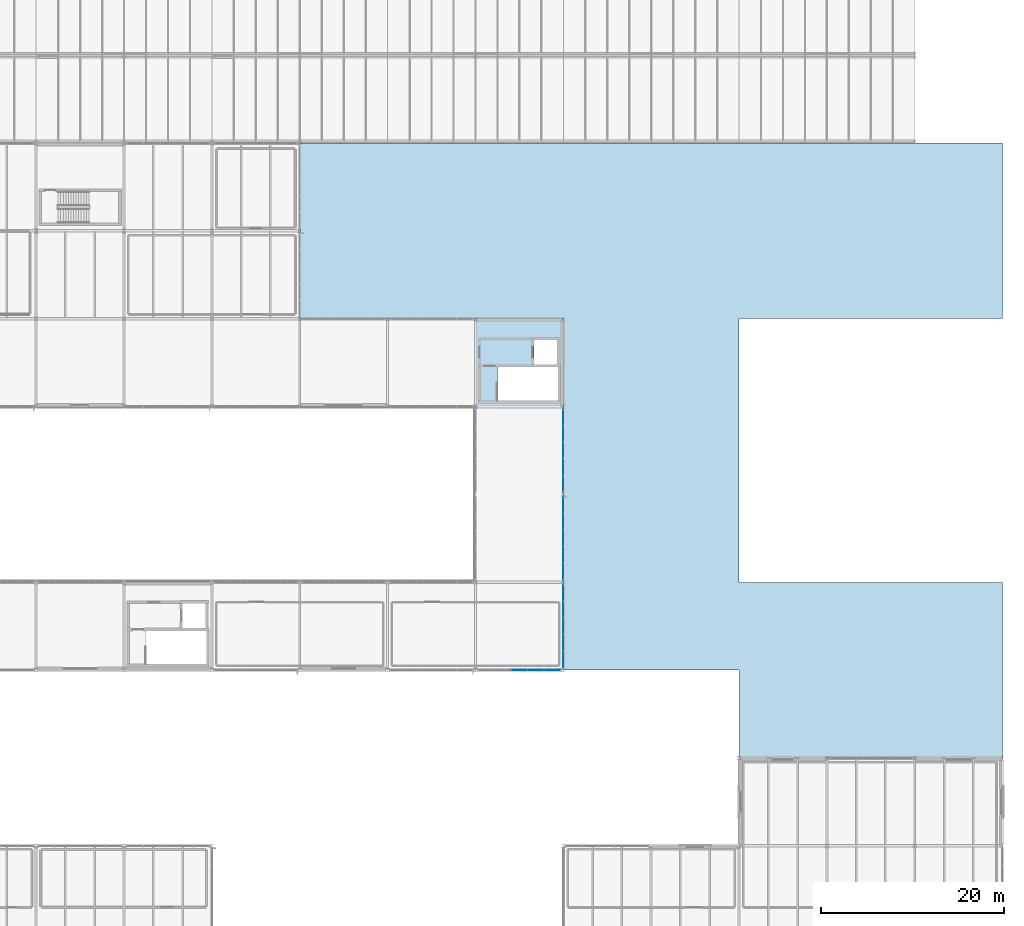
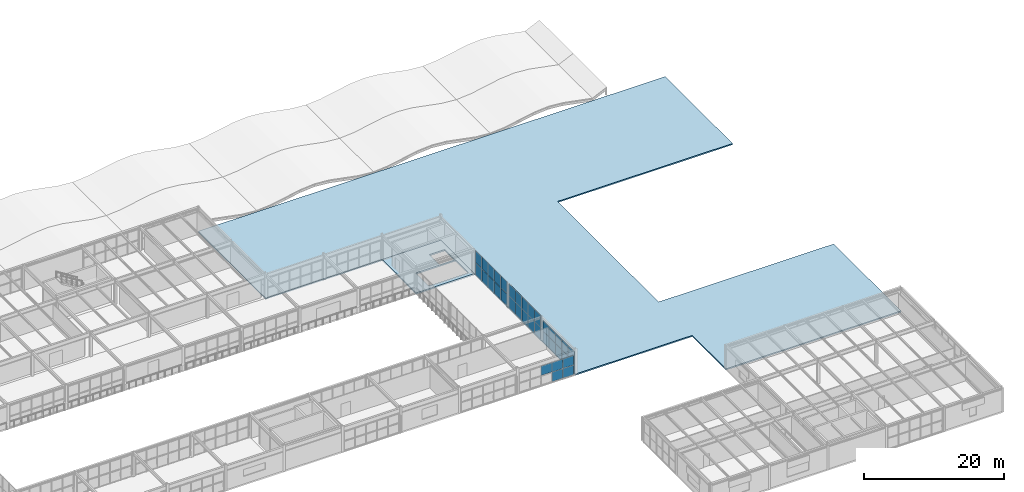
# One storey, part 142 of 170: 35 plates, 2 slabs, 4 elements without a shape of their own.
"""IFC4 building model written with IfcOpenShell, lengths in metres."""

import ifcopenshell
import ifcopenshell.guid

model = None  # the IFC model being written
_history = None  # IfcOwnerHistory: only IFC2X3 demands one
_inside = {}  # id of a spatial element -> (the spatial element, [elements in it])
_under = {}  # id of a project, library or spatial element -> (it, [spatial elements below it])
_declared = {}  # id of a project -> (the project, [libraries it declares])
_typed = {}  # id of a type object -> (the type object, [elements of that type])
_made_of = {}  # id of a material, layer set ... -> (it, [elements and type objects made of it])


def new_model(schema):
    """Start an empty IFC model of exactly this schema.

    Asked for "IFC4X3", IfcOpenShell would pick the latest addendum, in which some entities
    have other attributes; the version numbers below select the first issue.
    IFC2X3 requires an IfcOwnerHistory on every rooted entity: one is made here for all.
    """
    global model, _history
    if schema == "IFC4X3":
        model = ifcopenshell.file(schema_version=(4, 3, 0, 0))
    else:
        model = ifcopenshell.file(schema=schema)
    _inside.clear()
    _under.clear()
    _declared.clear()
    _typed.clear()
    _made_of.clear()
    _history = None
    if model.schema == "IFC2X3":
        org = make("IfcOrganization", Name="unknown")
        user = make(
            "IfcPersonAndOrganization",
            ThePerson=make("IfcPerson", FamilyName="unknown"),
            TheOrganization=org,
        )
        app = make(
            "IfcApplication",
            ApplicationDeveloper=org,
            Version="unknown",
            ApplicationFullName="unknown",
            ApplicationIdentifier="unknown",
        )
        _history = make(
            "IfcOwnerHistory",
            OwningUser=user,
            OwningApplication=app,
            ChangeAction="ADDED",
            CreationDate=0,
        )
    return model


def make(cls, **values):
    """One entity of the class cls with the attributes given. An attribute that is None is left unset."""
    return model.create_entity(
        cls, **{name: value for name, value in values.items() if value is not None}
    )


def rooted(cls, **values):
    """An entity with a GlobalId (a new one), such as an element, a storey or a relation."""
    return make(cls, GlobalId=ifcopenshell.guid.new(), OwnerHistory=_history, **values)


def si_unit(unit_type, name, prefix=None):
    """IfcSIUnit, for example si_unit("LENGTHUNIT", "METRE", prefix="MILLI")."""
    return make("IfcSIUnit", UnitType=unit_type, Prefix=prefix, Name=name)


def assignment(units):
    """IfcUnitAssignment: the units of a project."""
    return None if units is None else make("IfcUnitAssignment", Units=units)


def point(xyz):
    """IfcCartesianPoint."""
    return None if xyz is None else make("IfcCartesianPoint", Coordinates=xyz)


def direction(xyz):
    """IfcDirection."""
    return None if xyz is None else make("IfcDirection", DirectionRatios=xyz)


def frame(location, z_axis=None, x_axis=None):
    """IfcAxis2Placement3D, a coordinate frame: its origin and axes. An axis left out is left unset."""
    return make(
        "IfcAxis2Placement3D",
        Location=point(location),
        Axis=direction(z_axis),
        RefDirection=direction(x_axis),
    )


def frame_2d(location, x_axis=None):
    """IfcAxis2Placement2D, a coordinate frame in the plane: its origin and x axis."""
    return make(
        "IfcAxis2Placement2D", Location=point(location), RefDirection=direction(x_axis)
    )


def origin():
    """The frame at (0, 0, 0) with its axes left unset."""
    return frame((0.0, 0.0, 0.0))


def origin_2d():
    """The frame at (0, 0) in the plane with its x axis left unset."""
    return frame_2d((0.0, 0.0))


def place(relative_to, where):
    """IfcLocalPlacement: puts the frame where relative to a parent placement (None: the world)."""
    return make(
        "IfcLocalPlacement", PlacementRelTo=relative_to, RelativePlacement=where
    )


def context(
    kind, dimensions, precision=None, world=None, true_north=None, identifier=None
):
    """IfcGeometricRepresentationContext, for example the 3D "Model" context."""
    return make(
        "IfcGeometricRepresentationContext",
        ContextIdentifier=identifier,
        ContextType=kind,
        CoordinateSpaceDimension=dimensions,
        Precision=precision,
        WorldCoordinateSystem=world,
        TrueNorth=true_north,
    )


def subcontext(parent, identifier, kind, view, scale=None):
    """IfcGeometricRepresentationSubContext, for example "Body" below "Model"."""
    return make(
        "IfcGeometricRepresentationSubContext",
        ContextIdentifier=identifier,
        ContextType=kind,
        ParentContext=parent,
        TargetScale=scale,
        TargetView=view,
    )


def project(units=None, contexts=None):
    """IfcProject with its units and contexts."""
    return rooted(
        "IfcProject",
        Name="project",
        RepresentationContexts=contexts,
        UnitsInContext=assignment(units),
    )


def spatial(cls, under=None, at=None, **own):
    """A site, building, storey or space (cls), placed at a placement, below another one or the project."""
    s = rooted(cls, ObjectPlacement=at, **own)
    if under is not None:
        _under.setdefault(under.id(), (under, []))[1].append(s)
    return s


def polyline(points):
    """IfcPolyline through the points."""
    return make("IfcPolyline", Points=[point(p) for p in points])


def profile(cls, at=None, kind="AREA", **sizes):
    """A parametric profile (cls). Its sizes go by their IFC names, for example OverallWidth=200.0."""
    return make(cls, ProfileType=kind, Position=at, **sizes)


def rectangle(**sizes):
    """IfcRectangleProfileDef."""
    return profile("IfcRectangleProfileDef", **sizes)


def outline(outer, holes=None, kind="AREA"):
    """IfcArbitraryClosedProfileDef: a profile drawn as a closed curve; with holes, ...WithVoids."""
    if holes is None:
        return make("IfcArbitraryClosedProfileDef", ProfileType=kind, OuterCurve=outer)
    return make(
        "IfcArbitraryProfileDefWithVoids",
        ProfileType=kind,
        OuterCurve=outer,
        InnerCurves=holes,
    )


def extrude(swept, where, along, depth):
    """IfcExtrudedAreaSolid: the profile swept, set in the frame where, extruded along a direction by depth."""
    return make(
        "IfcExtrudedAreaSolid",
        SweptArea=swept,
        Position=where,
        ExtrudedDirection=direction(along),
        Depth=depth,
    )


def shape(context_of_items, identifier, shape_type, items):
    """IfcShapeRepresentation: the items that make up one representation, for example the "Body"."""
    return make(
        "IfcShapeRepresentation",
        ContextOfItems=context_of_items,
        RepresentationIdentifier=identifier,
        RepresentationType=shape_type,
        Items=items,
    )


def material(Name=None, Category=None):
    """IfcMaterial."""
    return make("IfcMaterial", Name=Name, Category=Category)


def layer(
    of_material, thickness, ventilated=None, Name=None, Category=None, Priority=None
):
    """IfcMaterialLayer: one layer of a wall or slab, of a material (None: an air gap)."""
    return make(
        "IfcMaterialLayer",
        Material=of_material,
        LayerThickness=thickness,
        IsVentilated=ventilated,
        Name=Name,
        Category=Category,
        Priority=Priority,
    )


def layer_set(layers, Name=None):
    """IfcMaterialLayerSet."""
    return make("IfcMaterialLayerSet", MaterialLayers=layers, LayerSetName=Name)


def made_of(thing, what):
    """Note that an element or type object is made of a material, layer set ...; save() writes the relation."""
    if what is not None:
        _made_of.setdefault(what.id(), (what, []))[1].append(thing)
    return thing


def type_object(cls, material=None, **own):
    """A type object (cls), such as IfcWallType, which elements share."""
    return made_of(rooted(cls, **own), material)


def element(
    cls,
    number,
    at=None,
    inside=None,
    cuts=None,
    type_object=None,
    material=None,
    context=None,
    identifier="Body",
    shape_type=None,
    held_by="IfcProductDefinitionShape",
    body=None,
    shapes=None,
    **own,
):
    """One element of the class cls, such as IfcWall. Its Tag is "e" and its number.

    at: its placement. inside: the storey or other place that contains it. cuts: it is an
    opening in that element (IfcRelVoidsElement). A single representation is given by context,
    identifier, shape_type and body (its items); several are given by shapes. held_by: the class
    of the entity that holds the representations. save() writes the other relations.
    """
    e = rooted(cls, Tag="e%d" % number, ObjectPlacement=at, **own)
    if body is not None:
        shapes = [shape(context, identifier, shape_type, body)]
    if shapes is not None:
        e.Representation = make(held_by, Representations=shapes)
    if inside is not None:
        _inside.setdefault(inside.id(), (inside, []))[1].append(e)
    if cuts is not None:
        rooted(
            "IfcRelVoidsElement", RelatingBuildingElement=cuts, RelatedOpeningElement=e
        )
    if type_object is not None:
        _typed.setdefault(type_object.id(), (type_object, []))[1].append(e)
    return made_of(e, material)


def aggregate(whole, parts):
    """IfcRelAggregates: a whole, such as a stair, and the parts it consists of."""
    return rooted("IfcRelAggregates", RelatingObject=whole, RelatedObjects=parts)


def save(model, path):
    """Write the relations noted so far, then the file.

    IfcRelAggregates (storeys below a building ...), IfcRelContainedInSpatialStructure (elements
    in a storey), IfcRelDefinesByType, IfcRelAssociatesMaterial and IfcRelDeclares: one each for
    every whole, place, type object, material and project.
    """
    for whole, parts in _under.values():
        aggregate(whole, parts)
    for where, things in _inside.values():
        rooted(
            "IfcRelContainedInSpatialStructure",
            RelatedElements=things,
            RelatingStructure=where,
        )
    for kind, things in _typed.values():
        rooted("IfcRelDefinesByType", RelatedObjects=things, RelatingType=kind)
    for what, things in _made_of.values():
        rooted("IfcRelAssociatesMaterial", RelatedObjects=things, RelatingMaterial=what)
    for by, libraries in _declared.values():
        rooted("IfcRelDeclares", RelatingContext=by, RelatedDefinitions=libraries)
    model.write(path)


model = new_model("IFC4")

# Units and contexts
model_context = context("Model", 3, precision=1e-05, world=origin(), true_north=direction((0.0, 1.0)))
body_context = subcontext(model_context, "Body", "Model", "MODEL_VIEW")
ifc_project = project(units=[si_unit("LENGTHUNIT", "METRE"), si_unit("AREAUNIT", "SQUARE_METRE"), si_unit("VOLUMEUNIT", "CUBIC_METRE"), si_unit("PLANEANGLEUNIT", "RADIAN"), si_unit("MASSUNIT", "GRAM", prefix="KILO")], contexts=[model_context])

# Site, building, storey
site_placement = place(None, origin())
site = spatial("IfcSite", under=ifc_project, at=site_placement, CompositionType="ELEMENT")
building_placement = place(site_placement, origin())
building = spatial("IfcBuilding", under=site, at=building_placement, Name="Coralgate Yard Interchange", CompositionType="ELEMENT")
storey_placement = place(building_placement, frame((0.0, 0.0, 6.0)))
storey = spatial("IfcBuildingStorey", under=building, at=storey_placement, Name="L01", CompositionType="ELEMENT", Elevation=6.0)

# Curtain wall, plates
ifc_material_1 = material(Name="Anodised coastal aluminium and solar-control low-E glass", Category="aluminium")
curtain_wall_type_1 = type_object("IfcCurtainWallType", Name="CW-CW-L01-A", PredefinedType="NOTDEFINED", material=ifc_material_1)
curtain_wall_1_placement = place(storey_placement, origin())
curtain_wall_1 = element("IfcCurtainWall", 1, at=curtain_wall_1_placement, inside=storey, type_object=curtain_wall_type_1, Name="L01 unitised curtain wall CW-L01-S-13-04", PredefinedType="NOTDEFINED")
ifc_material_2 = material(Name="Solar-control double-glazed low-E glass unit", Category="glass")
ifc_layer_1 = layer(ifc_material_2, 0.031982421875)
ifc_layer_set_1 = layer_set([ifc_layer_1], Name="Solar-control double-glazed low-E glass unit")
plate_type = type_object("IfcPlateType", Name="PLT-CP-32", PredefinedType="CURTAIN_PANEL", material=ifc_layer_set_1)
plate_1_placement = place(storey_placement, frame((133.199951171875, 38.39990234375, 0.02490234375), z_axis=(0.0, 0.0, 1.0), x_axis=(-1.0, 0.0, 0.0)))
plate_1 = element("IfcPlate", 2, at=plate_1_placement, type_object=plate_type, Name="CW-L01-S-13-04 solar-control glazing panel 1-1", PredefinedType="CURTAIN_PANEL", context=body_context, shape_type="SweptSolid", body=[
    extrude(rectangle(XDim=1.75, YDim=0.031982421875, at=origin_2d()), origin(), (0.0, 0.0, 1.0), 1.654541015625),
])
plate_2_placement = place(storey_placement, frame((133.199951171875, 38.39990234375, 1.7294921875), z_axis=(0.0, 0.0, 1.0), x_axis=(-1.0, 0.0, 0.0)))
plate_2 = element("IfcPlate", 3, at=plate_2_placement, type_object=plate_type, Name="CW-L01-S-13-04 solar-control glazing panel 1-2", PredefinedType="CURTAIN_PANEL", context=body_context, shape_type="SweptSolid", body=[
    extrude(rectangle(XDim=1.75, YDim=0.031982421875, at=origin_2d()), origin(), (0.0, 0.0, 1.0), 1.654541015625),
])
plate_3_placement = place(storey_placement, frame((131.39990234375, 38.39990234375, 0.02490234375), z_axis=(0.0, 0.0, 1.0), x_axis=(-1.0, 0.0, 0.0)))
plate_3 = element("IfcPlate", 4, at=plate_3_placement, type_object=plate_type, Name="CW-L01-S-13-04 solar-control glazing panel 2-1", PredefinedType="CURTAIN_PANEL", context=body_context, shape_type="SweptSolid", body=[
    extrude(rectangle(XDim=1.75, YDim=0.031982421875, at=origin_2d()), origin(), (0.0, 0.0, 1.0), 1.654541015625),
])
plate_4_placement = place(storey_placement, frame((131.39990234375, 38.39990234375, 1.7294921875), z_axis=(0.0, 0.0, 1.0), x_axis=(-1.0, 0.0, 0.0)))
plate_4 = element("IfcPlate", 5, at=plate_4_placement, type_object=plate_type, Name="CW-L01-S-13-04 solar-control glazing panel 2-2", PredefinedType="CURTAIN_PANEL", context=body_context, shape_type="SweptSolid", body=[
    extrude(rectangle(XDim=1.75, YDim=0.031982421875, at=origin_2d()), origin(), (0.0, 0.0, 1.0), 1.654541015625),
])
plate_5_placement = place(storey_placement, frame((129.60009765625, 38.39990234375, 1.7294921875), z_axis=(0.0, 0.0, 1.0), x_axis=(-1.0, 0.0, 0.0)))
plate_5 = element("IfcPlate", 6, at=plate_5_placement, type_object=plate_type, Name="CW-L01-S-13-04 solar-control glazing panel 3-2", PredefinedType="CURTAIN_PANEL", context=body_context, shape_type="SweptSolid", body=[
    extrude(rectangle(XDim=1.75, YDim=0.031982421875, at=origin_2d()), origin(), (0.0, 0.0, 1.0), 1.654541015625),
])
aggregate(curtain_wall_1, [plate_1, plate_2, plate_3, plate_4, plate_5])

curtain_wall_type_2 = type_object("IfcCurtainWallType", Name="CW-CW-L01-B", PredefinedType="NOTDEFINED", material=ifc_material_1)
curtain_wall_2_placement = place(storey_placement, origin())
curtain_wall_2 = element("IfcCurtainWall", 7, at=curtain_wall_2_placement, inside=storey, type_object=curtain_wall_type_2, Name="L01 unitised curtain wall CW-L01-E-13-04", PredefinedType="NOTDEFINED")
plate_6_placement = place(storey_placement, frame((134.39990234375, 46.800048828125, 0.02490234375), z_axis=(0.0, 0.0, 1.0), x_axis=(0.0, -1.0, 0.0)))
plate_6 = element("IfcPlate", 8, at=plate_6_placement, type_object=plate_type, Name="CW-L01-E-13-04 solar-control glazing panel 1-1", PredefinedType="CURTAIN_PANEL", context=body_context, shape_type="SweptSolid", body=[
    extrude(rectangle(XDim=1.75, YDim=0.031982421875, at=origin_2d()), origin(), (0.0, 0.0, 1.0), 1.808349609375),
])
plate_7_placement = place(storey_placement, frame((134.39990234375, 46.800048828125, 1.88330078125), z_axis=(0.0, 0.0, 1.0), x_axis=(0.0, -1.0, 0.0)))
plate_7 = element("IfcPlate", 9, at=plate_7_placement, type_object=plate_type, Name="CW-L01-E-13-04 solar-control glazing panel 1-2", PredefinedType="CURTAIN_PANEL", context=body_context, shape_type="SweptSolid", body=[
    extrude(rectangle(XDim=1.75, YDim=0.031982421875, at=origin_2d()), origin(), (0.0, 0.0, 1.0), 1.808349609375),
])
plate_8_placement = place(storey_placement, frame((134.39990234375, 45.0, 0.02490234375), z_axis=(0.0, 0.0, 1.0), x_axis=(0.0, -1.0, 0.0)))
plate_8 = element("IfcPlate", 10, at=plate_8_placement, type_object=plate_type, Name="CW-L01-E-13-04 solar-control glazing panel 2-1", PredefinedType="CURTAIN_PANEL", context=body_context, shape_type="SweptSolid", body=[
    extrude(rectangle(XDim=1.75, YDim=0.031982421875, at=origin_2d()), origin(), (0.0, 0.0, 1.0), 1.808349609375),
])
plate_9_placement = place(storey_placement, frame((134.39990234375, 45.0, 1.88330078125), z_axis=(0.0, 0.0, 1.0), x_axis=(0.0, -1.0, 0.0)))
plate_9 = element("IfcPlate", 11, at=plate_9_placement, type_object=plate_type, Name="CW-L01-E-13-04 solar-control glazing panel 2-2", PredefinedType="CURTAIN_PANEL", context=body_context, shape_type="SweptSolid", body=[
    extrude(rectangle(XDim=1.75, YDim=0.031982421875, at=origin_2d()), origin(), (0.0, 0.0, 1.0), 1.808349609375),
])
plate_10_placement = place(storey_placement, frame((134.39990234375, 43.199951171875, 0.02490234375), z_axis=(0.0, 0.0, 1.0), x_axis=(0.0, -1.0, 0.0)))
plate_10 = element("IfcPlate", 12, at=plate_10_placement, type_object=plate_type, Name="CW-L01-E-13-04 solar-control glazing panel 3-1", PredefinedType="CURTAIN_PANEL", context=body_context, shape_type="SweptSolid", body=[
    extrude(rectangle(XDim=1.75, YDim=0.031982421875, at=origin_2d()), origin(), (0.0, 0.0, 1.0), 1.808349609375),
])
plate_11_placement = place(storey_placement, frame((134.39990234375, 43.199951171875, 1.88330078125), z_axis=(0.0, 0.0, 1.0), x_axis=(0.0, -1.0, 0.0)))
plate_11 = element("IfcPlate", 13, at=plate_11_placement, type_object=plate_type, Name="CW-L01-E-13-04 solar-control glazing panel 3-2", PredefinedType="CURTAIN_PANEL", context=body_context, shape_type="SweptSolid", body=[
    extrude(rectangle(XDim=1.75, YDim=0.031982421875, at=origin_2d()), origin(), (0.0, 0.0, 1.0), 1.808349609375),
])
plate_12_placement = place(storey_placement, frame((134.39990234375, 41.39990234375, 0.02490234375), z_axis=(0.0, 0.0, 1.0), x_axis=(0.0, -1.0, 0.0)))
plate_12 = element("IfcPlate", 14, at=plate_12_placement, type_object=plate_type, Name="CW-L01-E-13-04 solar-control glazing panel 4-1", PredefinedType="CURTAIN_PANEL", context=body_context, shape_type="SweptSolid", body=[
    extrude(rectangle(XDim=1.75, YDim=0.031982421875, at=origin_2d()), origin(), (0.0, 0.0, 1.0), 1.808349609375),
])
plate_13_placement = place(storey_placement, frame((134.39990234375, 41.39990234375, 1.88330078125), z_axis=(0.0, 0.0, 1.0), x_axis=(0.0, -1.0, 0.0)))
plate_13 = element("IfcPlate", 15, at=plate_13_placement, type_object=plate_type, Name="CW-L01-E-13-04 solar-control glazing panel 4-2", PredefinedType="CURTAIN_PANEL", context=body_context, shape_type="SweptSolid", body=[
    extrude(rectangle(XDim=1.75, YDim=0.031982421875, at=origin_2d()), origin(), (0.0, 0.0, 1.0), 1.808349609375),
])
plate_14_placement = place(storey_placement, frame((134.39990234375, 39.60009765625, 0.02490234375), z_axis=(0.0, 0.0, 1.0), x_axis=(0.0, -1.0, 0.0)))
plate_14 = element("IfcPlate", 16, at=plate_14_placement, type_object=plate_type, Name="CW-L01-E-13-04 solar-control glazing panel 5-1", PredefinedType="CURTAIN_PANEL", context=body_context, shape_type="SweptSolid", body=[
    extrude(rectangle(XDim=1.75, YDim=0.031982421875, at=origin_2d()), origin(), (0.0, 0.0, 1.0), 1.808349609375),
])
plate_15_placement = place(storey_placement, frame((134.39990234375, 39.60009765625, 1.88330078125), z_axis=(0.0, 0.0, 1.0), x_axis=(0.0, -1.0, 0.0)))
plate_15 = element("IfcPlate", 17, at=plate_15_placement, type_object=plate_type, Name="CW-L01-E-13-04 solar-control glazing panel 5-2", PredefinedType="CURTAIN_PANEL", context=body_context, shape_type="SweptSolid", body=[
    extrude(rectangle(XDim=1.75, YDim=0.031982421875, at=origin_2d()), origin(), (0.0, 0.0, 1.0), 1.808349609375),
])
aggregate(curtain_wall_2, [plate_6, plate_7, plate_8, plate_9, plate_10, plate_11, plate_12, plate_13, plate_14, plate_15])

curtain_wall_3_placement = place(storey_placement, origin())
curtain_wall_3 = element("IfcCurtainWall", 18, at=curtain_wall_3_placement, inside=storey, type_object=curtain_wall_type_2, Name="L01 unitised curtain wall CW-L01-E-13-05", PredefinedType="NOTDEFINED")
plate_16_placement = place(storey_placement, frame((134.39990234375, 56.39990234375, 0.02490234375), z_axis=(0.0, 0.0, 1.0), x_axis=(0.0, -1.0, 0.0)))
plate_16 = element("IfcPlate", 19, at=plate_16_placement, type_object=plate_type, Name="CW-L01-E-13-05 solar-control glazing panel 1-1", PredefinedType="CURTAIN_PANEL", context=body_context, shape_type="SweptSolid", body=[
    extrude(rectangle(XDim=1.75, YDim=0.031982421875, at=origin_2d()), origin(), (0.0, 0.0, 1.0), 2.074951171875),
])
plate_17_placement = place(storey_placement, frame((134.39990234375, 56.39990234375, 2.14990234375), z_axis=(0.0, 0.0, 1.0), x_axis=(0.0, -1.0, 0.0)))
plate_17 = element("IfcPlate", 20, at=plate_17_placement, type_object=plate_type, Name="CW-L01-E-13-05 solar-control glazing panel 1-2", PredefinedType="CURTAIN_PANEL", context=body_context, shape_type="SweptSolid", body=[
    extrude(rectangle(XDim=1.75, YDim=0.031982421875, at=origin_2d()), origin(), (0.0, 0.0, 1.0), 2.074951171875),
])
plate_18_placement = place(storey_placement, frame((134.39990234375, 54.60009765625, 0.02490234375), z_axis=(0.0, 0.0, 1.0), x_axis=(0.0, -1.0, 0.0)))
plate_18 = element("IfcPlate", 21, at=plate_18_placement, type_object=plate_type, Name="CW-L01-E-13-05 solar-control glazing panel 2-1", PredefinedType="CURTAIN_PANEL", context=body_context, shape_type="SweptSolid", body=[
    extrude(rectangle(XDim=1.75, YDim=0.031982421875, at=origin_2d()), origin(), (0.0, 0.0, 1.0), 2.074951171875),
])
plate_19_placement = place(storey_placement, frame((134.39990234375, 54.60009765625, 2.14990234375), z_axis=(0.0, 0.0, 1.0), x_axis=(0.0, -1.0, 0.0)))
plate_19 = element("IfcPlate", 22, at=plate_19_placement, type_object=plate_type, Name="CW-L01-E-13-05 solar-control glazing panel 2-2", PredefinedType="CURTAIN_PANEL", context=body_context, shape_type="SweptSolid", body=[
    extrude(rectangle(XDim=1.75, YDim=0.031982421875, at=origin_2d()), origin(), (0.0, 0.0, 1.0), 2.074951171875),
])
plate_20_placement = place(storey_placement, frame((134.39990234375, 52.800048828125, 0.02490234375), z_axis=(0.0, 0.0, 1.0), x_axis=(0.0, -1.0, 0.0)))
plate_20 = element("IfcPlate", 23, at=plate_20_placement, type_object=plate_type, Name="CW-L01-E-13-05 solar-control glazing panel 3-1", PredefinedType="CURTAIN_PANEL", context=body_context, shape_type="SweptSolid", body=[
    extrude(rectangle(XDim=1.75, YDim=0.031982421875, at=origin_2d()), origin(), (0.0, 0.0, 1.0), 2.074951171875),
])
plate_21_placement = place(storey_placement, frame((134.39990234375, 52.800048828125, 2.14990234375), z_axis=(0.0, 0.0, 1.0), x_axis=(0.0, -1.0, 0.0)))
plate_21 = element("IfcPlate", 24, at=plate_21_placement, type_object=plate_type, Name="CW-L01-E-13-05 solar-control glazing panel 3-2", PredefinedType="CURTAIN_PANEL", context=body_context, shape_type="SweptSolid", body=[
    extrude(rectangle(XDim=1.75, YDim=0.031982421875, at=origin_2d()), origin(), (0.0, 0.0, 1.0), 2.074951171875),
])
plate_22_placement = place(storey_placement, frame((134.39990234375, 51.0, 0.02490234375), z_axis=(0.0, 0.0, 1.0), x_axis=(0.0, -1.0, 0.0)))
plate_22 = element("IfcPlate", 25, at=plate_22_placement, type_object=plate_type, Name="CW-L01-E-13-05 solar-control glazing panel 4-1", PredefinedType="CURTAIN_PANEL", context=body_context, shape_type="SweptSolid", body=[
    extrude(rectangle(XDim=1.75, YDim=0.031982421875, at=origin_2d()), origin(), (0.0, 0.0, 1.0), 2.074951171875),
])
plate_23_placement = place(storey_placement, frame((134.39990234375, 51.0, 2.14990234375), z_axis=(0.0, 0.0, 1.0), x_axis=(0.0, -1.0, 0.0)))
plate_23 = element("IfcPlate", 26, at=plate_23_placement, type_object=plate_type, Name="CW-L01-E-13-05 solar-control glazing panel 4-2", PredefinedType="CURTAIN_PANEL", context=body_context, shape_type="SweptSolid", body=[
    extrude(rectangle(XDim=1.75, YDim=0.031982421875, at=origin_2d()), origin(), (0.0, 0.0, 1.0), 2.074951171875),
])
plate_24_placement = place(storey_placement, frame((134.39990234375, 49.199951171875, 0.02490234375), z_axis=(0.0, 0.0, 1.0), x_axis=(0.0, -1.0, 0.0)))
plate_24 = element("IfcPlate", 27, at=plate_24_placement, type_object=plate_type, Name="CW-L01-E-13-05 solar-control glazing panel 5-1", PredefinedType="CURTAIN_PANEL", context=body_context, shape_type="SweptSolid", body=[
    extrude(rectangle(XDim=1.75, YDim=0.031982421875, at=origin_2d()), origin(), (0.0, 0.0, 1.0), 2.074951171875),
])
plate_25_placement = place(storey_placement, frame((134.39990234375, 49.199951171875, 2.14990234375), z_axis=(0.0, 0.0, 1.0), x_axis=(0.0, -1.0, 0.0)))
plate_25 = element("IfcPlate", 28, at=plate_25_placement, type_object=plate_type, Name="CW-L01-E-13-05 solar-control glazing panel 5-2", PredefinedType="CURTAIN_PANEL", context=body_context, shape_type="SweptSolid", body=[
    extrude(rectangle(XDim=1.75, YDim=0.031982421875, at=origin_2d()), origin(), (0.0, 0.0, 1.0), 2.074951171875),
])
aggregate(curtain_wall_3, [plate_16, plate_17, plate_18, plate_19, plate_20, plate_21, plate_22, plate_23, plate_24, plate_25])

curtain_wall_4_placement = place(storey_placement, origin())
curtain_wall_4 = element("IfcCurtainWall", 29, at=curtain_wall_4_placement, inside=storey, type_object=curtain_wall_type_2, Name="L01 unitised curtain wall CW-L01-E-13-06", PredefinedType="NOTDEFINED")
plate_26_placement = place(storey_placement, frame((134.39990234375, 66.0, 0.02490234375), z_axis=(0.0, 0.0, 1.0), x_axis=(0.0, -1.0, 0.0)))
plate_26 = element("IfcPlate", 30, at=plate_26_placement, type_object=plate_type, Name="CW-L01-E-13-06 solar-control glazing panel 1-1", PredefinedType="CURTAIN_PANEL", context=body_context, shape_type="SweptSolid", body=[
    extrude(rectangle(XDim=1.75, YDim=0.031982421875, at=origin_2d()), origin(), (0.0, 0.0, 1.0), 2.074951171875),
])
plate_27_placement = place(storey_placement, frame((134.39990234375, 66.0, 2.14990234375), z_axis=(0.0, 0.0, 1.0), x_axis=(0.0, -1.0, 0.0)))
plate_27 = element("IfcPlate", 31, at=plate_27_placement, type_object=plate_type, Name="CW-L01-E-13-06 solar-control glazing panel 1-2", PredefinedType="CURTAIN_PANEL", context=body_context, shape_type="SweptSolid", body=[
    extrude(rectangle(XDim=1.75, YDim=0.031982421875, at=origin_2d()), origin(), (0.0, 0.0, 1.0), 2.074951171875),
])
plate_28_placement = place(storey_placement, frame((134.39990234375, 64.199951171875, 0.02490234375), z_axis=(0.0, 0.0, 1.0), x_axis=(0.0, -1.0, 0.0)))
plate_28 = element("IfcPlate", 32, at=plate_28_placement, type_object=plate_type, Name="CW-L01-E-13-06 solar-control glazing panel 2-1", PredefinedType="CURTAIN_PANEL", context=body_context, shape_type="SweptSolid", body=[
    extrude(rectangle(XDim=1.75, YDim=0.031982421875, at=origin_2d()), origin(), (0.0, 0.0, 1.0), 2.074951171875),
])
plate_29_placement = place(storey_placement, frame((134.39990234375, 64.199951171875, 2.14990234375), z_axis=(0.0, 0.0, 1.0), x_axis=(0.0, -1.0, 0.0)))
plate_29 = element("IfcPlate", 33, at=plate_29_placement, type_object=plate_type, Name="CW-L01-E-13-06 solar-control glazing panel 2-2", PredefinedType="CURTAIN_PANEL", context=body_context, shape_type="SweptSolid", body=[
    extrude(rectangle(XDim=1.75, YDim=0.031982421875, at=origin_2d()), origin(), (0.0, 0.0, 1.0), 2.074951171875),
])
plate_30_placement = place(storey_placement, frame((134.39990234375, 62.39990234375, 0.02490234375), z_axis=(0.0, 0.0, 1.0), x_axis=(0.0, -1.0, 0.0)))
plate_30 = element("IfcPlate", 34, at=plate_30_placement, type_object=plate_type, Name="CW-L01-E-13-06 solar-control glazing panel 3-1", PredefinedType="CURTAIN_PANEL", context=body_context, shape_type="SweptSolid", body=[
    extrude(rectangle(XDim=1.75, YDim=0.031982421875, at=origin_2d()), origin(), (0.0, 0.0, 1.0), 2.074951171875),
])
plate_31_placement = place(storey_placement, frame((134.39990234375, 62.39990234375, 2.14990234375), z_axis=(0.0, 0.0, 1.0), x_axis=(0.0, -1.0, 0.0)))
plate_31 = element("IfcPlate", 35, at=plate_31_placement, type_object=plate_type, Name="CW-L01-E-13-06 solar-control glazing panel 3-2", PredefinedType="CURTAIN_PANEL", context=body_context, shape_type="SweptSolid", body=[
    extrude(rectangle(XDim=1.75, YDim=0.031982421875, at=origin_2d()), origin(), (0.0, 0.0, 1.0), 2.074951171875),
])
plate_32_placement = place(storey_placement, frame((134.39990234375, 60.60009765625, 0.02490234375), z_axis=(0.0, 0.0, 1.0), x_axis=(0.0, -1.0, 0.0)))
plate_32 = element("IfcPlate", 36, at=plate_32_placement, type_object=plate_type, Name="CW-L01-E-13-06 solar-control glazing panel 4-1", PredefinedType="CURTAIN_PANEL", context=body_context, shape_type="SweptSolid", body=[
    extrude(rectangle(XDim=1.75, YDim=0.031982421875, at=origin_2d()), origin(), (0.0, 0.0, 1.0), 2.074951171875),
])
plate_33_placement = place(storey_placement, frame((134.39990234375, 60.60009765625, 2.14990234375), z_axis=(0.0, 0.0, 1.0), x_axis=(0.0, -1.0, 0.0)))
plate_33 = element("IfcPlate", 37, at=plate_33_placement, type_object=plate_type, Name="CW-L01-E-13-06 solar-control glazing panel 4-2", PredefinedType="CURTAIN_PANEL", context=body_context, shape_type="SweptSolid", body=[
    extrude(rectangle(XDim=1.75, YDim=0.031982421875, at=origin_2d()), origin(), (0.0, 0.0, 1.0), 2.074951171875),
])
plate_34_placement = place(storey_placement, frame((134.39990234375, 58.800048828125, 0.02490234375), z_axis=(0.0, 0.0, 1.0), x_axis=(0.0, -1.0, 0.0)))
plate_34 = element("IfcPlate", 38, at=plate_34_placement, type_object=plate_type, Name="CW-L01-E-13-06 solar-control glazing panel 5-1", PredefinedType="CURTAIN_PANEL", context=body_context, shape_type="SweptSolid", body=[
    extrude(rectangle(XDim=1.75, YDim=0.031982421875, at=origin_2d()), origin(), (0.0, 0.0, 1.0), 2.074951171875),
])
plate_35_placement = place(storey_placement, frame((134.39990234375, 58.800048828125, 2.14990234375), z_axis=(0.0, 0.0, 1.0), x_axis=(0.0, -1.0, 0.0)))
plate_35 = element("IfcPlate", 39, at=plate_35_placement, type_object=plate_type, Name="CW-L01-E-13-06 solar-control glazing panel 5-2", PredefinedType="CURTAIN_PANEL", context=body_context, shape_type="SweptSolid", body=[
    extrude(rectangle(XDim=1.75, YDim=0.031982421875, at=origin_2d()), origin(), (0.0, 0.0, 1.0), 2.074951171875),
])
aggregate(curtain_wall_4, [plate_26, plate_27, plate_28, plate_29, plate_30, plate_31, plate_32, plate_33, plate_34, plate_35])

# Slabs
ifc_material_3 = material(Name="Concrete C40/50", Category="concrete")
ifc_layer_2 = layer(ifc_material_3, 0.25)
ifc_layer_set_2 = layer_set([ifc_layer_2], Name="Concrete C40/50")
slab_type_1 = type_object("IfcSlabType", Name="SLB-SL-FLR250", PredefinedType="FLOOR", material=ifc_layer_set_2)
slab_1_placement = place(storey_placement, frame((0.0, 0.0, -0.25)))
element("IfcSlab", 40, at=slab_1_placement, inside=storey, type_object=slab_type_1, Name="L01 core C7 structural floor slab", PredefinedType="FLOOR", context=body_context, shape_type="SweptSolid", body=[
    extrude(outline(polyline([(134.39990234375, 76.800048828125), (134.39990234375, 67.199951171875), (124.800048828125, 67.199951171875), (124.800048828125, 76.800048828125), (134.39990234375, 76.800048828125)]), holes=[polyline([(133.800048828125, 71.510009765625), (127.219970703125, 71.510009765625), (127.219970703125, 67.85009765625), (133.800048828125, 67.85009765625), (133.800048828125, 71.510009765625)]), polyline([(133.699951171875, 71.64990234375), (133.699951171875, 74.5), (131.199951171875, 74.5), (131.199951171875, 71.64990234375), (133.699951171875, 71.64990234375)])]), origin(), (0.0, 0.0, 1.0), 0.25),
])
ifc_layer_3 = layer(ifc_material_3, 0.219970703125)
ifc_layer_set_3 = layer_set([ifc_layer_3], Name="Concrete C40/50")
slab_type_2 = type_object("IfcSlabType", Name="SLB-SL-RF220", PredefinedType="ROOF", material=ifc_layer_set_3)
slab_2_placement = place(storey_placement, frame((0.0, 0.0, -0.219970703125)))
element("IfcSlab", 41, at=slab_2_placement, inside=storey, type_object=slab_type_2, Name="L01 insulated flat concrete roof over L00", PredefinedType="ROOF", context=body_context, shape_type="SweptSolid", body=[
    extrude(outline(polyline([(144.0, 38.39990234375), (134.39990234375, 38.39990234375), (134.39990234375, 48.0), (134.39990234375, 57.60009765625), (134.39990234375, 67.199951171875), (134.39990234375, 76.800048828125), (124.800048828125, 76.800048828125), (115.199951171875, 76.800048828125), (105.60009765625, 76.800048828125), (105.60009765625, 86.39990234375), (105.60009765625, 96.0), (115.199951171875, 96.0), (124.800048828125, 96.0), (134.39990234375, 96.0), (144.0, 96.0), (153.60009765625, 96.0), (163.199951171875, 96.0), (172.800048828125, 96.0), (182.39990234375, 96.0), (182.39990234375, 86.39990234375), (182.39990234375, 76.800048828125), (172.800048828125, 76.800048828125), (163.199951171875, 76.800048828125), (153.60009765625, 76.800048828125), (153.60009765625, 67.199951171875), (153.60009765625, 57.60009765625), (153.60009765625, 48.0), (163.199951171875, 48.0), (172.800048828125, 48.0), (182.39990234375, 48.0), (182.39990234375, 38.39990234375), (182.39990234375, 28.800048828125), (172.800048828125, 28.800048828125), (163.199951171875, 28.800048828125), (153.60009765625, 28.800048828125), (153.60009765625, 38.39990234375), (144.0, 38.39990234375)])), origin(), (0.0, 0.0, 1.0), 0.219970703125),
])

save(model, "model.ifc")
